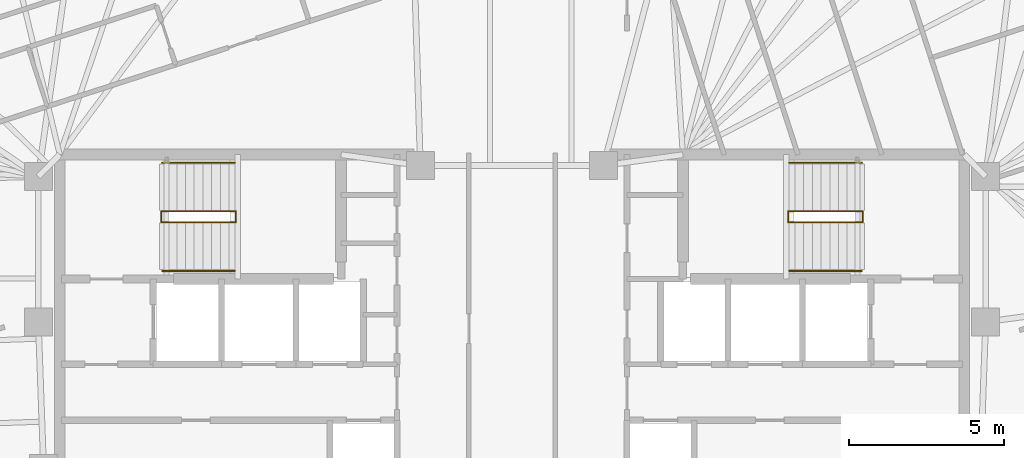
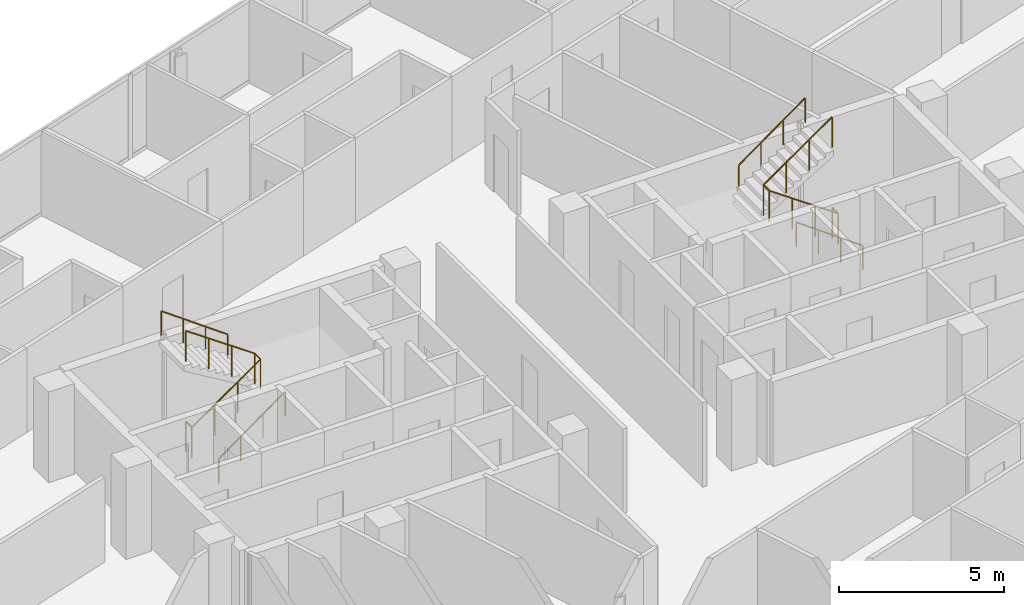
# One storey, part 20 of 20: 6 railings.
"""IFC4 building model written with IfcOpenShell, lengths in metres."""

from ifc_helpers import new_model, si_unit, direction, frame, origin, origin_2d, place, context, subcontext, project, spatial, circle, extrude, material, type_object, element, save


model = new_model("IFC4")

# Units and contexts
model_context = context("Model", 3, precision=1e-05, world=origin(), true_north=direction((0.0, 1.0)))
body_context = subcontext(model_context, "Body", "Model", "MODEL_VIEW")
ifc_project = project(units=[si_unit("LENGTHUNIT", "METRE"), si_unit("AREAUNIT", "SQUARE_METRE"), si_unit("VOLUMEUNIT", "CUBIC_METRE"), si_unit("PLANEANGLEUNIT", "RADIAN"), si_unit("MASSUNIT", "GRAM", prefix="KILO")], contexts=[model_context])

# Site, building, storey
site_placement = place(None, origin())
site = spatial("IfcSite", under=ifc_project, at=site_placement, CompositionType="ELEMENT")
building_placement = place(site_placement, origin())
building = spatial("IfcBuilding", under=site, at=building_placement, Name="Menara Jurai Vektor", CompositionType="ELEMENT")
storey_placement = place(building_placement, frame((0.0, 0.0, 224.300048828125)))
storey = spatial("IfcBuildingStorey", under=building, at=storey_placement, Name="L59", CompositionType="ELEMENT", Elevation=224.300048828125)

# Railings
ifc_material_1 = material(Name="Painted Galvanised Steel Balustrade", Category="steel")
railing_type_1 = type_object("IfcRailingType", Name="RAIL-STAIR-GUARD", PredefinedType="GUARDRAIL", material=ifc_material_1)
railing_1_placement = place(storey_placement, frame((-11.2900390625, 3.780029296875, 0.0)))
element("IfcRailing", 1, at=railing_1_placement, inside=storey, type_object=railing_type_1, Name="ST1 Stair Guardrail 1 L59", PredefinedType="GUARDRAIL", context=body_context, shape_type="SweptSolid", body=[
    extrude(circle(Radius=0.02392578125, at=origin_2d()), frame((0.0, 0.0, 1.1259765625), z_axis=(0.0, -1.0, 0.0), x_axis=(1.0, 0.0, 0.0)), (0.0, 0.0, 1.0), 0.360107421875),
    extrude(circle(Radius=0.02392578125, at=origin_2d()), frame((0.0, -0.360107421875, 1.1259765625), z_axis=(0.820042287322, 0.0, 0.572302932898), x_axis=(0.0, 1.0, 0.0)), (0.0, 0.0, 1.0), 2.9267578125),
    extrude(circle(Radius=0.02392578125, at=origin_2d()), frame((2.400146484375, -0.360107421875, 2.80078125), z_axis=(0.0, 1.0, 0.0), x_axis=(-1.0, 0.0, 0.0)), (0.0, 0.0, 1.0), 0.360107421875),
    extrude(circle(Radius=0.02392578125, at=origin_2d()), frame((2.400146484375, 0.0, 2.80078125), z_axis=(-0.820081434478, 0.0, 0.572246835573), x_axis=(0.0, -1.0, 0.0)), (0.0, 0.0, 1.0), 2.9267578125),
    extrude(circle(Radius=0.02099609375, at=origin_2d()), origin(), (0.0, 0.0, 1.0), 1.101806640625),
    extrude(circle(Radius=0.02099609375, at=origin_2d()), frame((0.0, -0.360107421875, 0.0)), (0.0, 0.0, 1.0), 1.101806640625),
    extrude(circle(Radius=0.02099609375, at=origin_2d()), frame((0.800048828125, -0.360107421875, 0.558349609375)), (0.0, 0.0, 1.0), 1.101806640625),
    extrude(circle(Radius=0.02099609375, at=origin_2d()), frame((1.60009765625, -0.360107421875, 1.11669921875)), (0.0, 0.0, 1.0), 1.101806640625),
    extrude(circle(Radius=0.02099609375, at=origin_2d()), frame((2.400146484375, -0.360107421875, 1.675048828125)), (0.0, 0.0, 1.0), 1.101806640625),
    extrude(circle(Radius=0.02099609375, at=origin_2d()), frame((2.400146484375, 0.0, 1.675048828125)), (0.0, 0.0, 1.0), 1.101806640625),
    extrude(circle(Radius=0.02099609375, at=origin_2d()), frame((1.60009765625, 0.0, 2.2333984375)), (0.0, 0.0, 1.0), 1.101806640625),
    extrude(circle(Radius=0.02099609375, at=origin_2d()), frame((0.800048828125, 0.0, 2.79150390625)), (0.0, 0.0, 1.0), 1.101806640625),
    extrude(circle(Radius=0.02099609375, at=origin_2d()), frame((0.0, 0.0, 3.349853515625)), (0.0, 0.0, 1.0), 1.101806640625),
])
railing_2_placement = place(storey_placement, frame((11.2900390625, 3.780029296875, 0.0)))
element("IfcRailing", 2, at=railing_2_placement, inside=storey, type_object=railing_type_1, Name="ST2 Stair Guardrail 1 L59", PredefinedType="GUARDRAIL", context=body_context, shape_type="SweptSolid", body=[
    extrude(circle(Radius=0.02392578125, at=origin_2d()), frame((0.0, 0.0, 1.1259765625), z_axis=(0.0, -1.0, 0.0), x_axis=(1.0, 0.0, 0.0)), (0.0, 0.0, 1.0), 0.360107421875),
    extrude(circle(Radius=0.02392578125, at=origin_2d()), frame((0.0, -0.360107421875, 1.1259765625), z_axis=(-0.820042287322, 0.0, 0.572302932898), x_axis=(0.0, -1.0, 0.0)), (0.0, 0.0, 1.0), 2.9267578125),
    extrude(circle(Radius=0.02392578125, at=origin_2d()), frame((-2.400146484375, -0.360107421875, 2.80078125), z_axis=(0.0, 1.0, 0.0), x_axis=(-1.0, 0.0, 0.0)), (0.0, 0.0, 1.0), 0.360107421875),
    extrude(circle(Radius=0.02392578125, at=origin_2d()), frame((-2.400146484375, 0.0, 2.80078125), z_axis=(0.820081434478, 0.0, 0.572246835573), x_axis=(0.0, 1.0, 0.0)), (0.0, 0.0, 1.0), 2.9267578125),
    extrude(circle(Radius=0.02099609375, at=origin_2d()), origin(), (0.0, 0.0, 1.0), 1.101806640625),
    extrude(circle(Radius=0.02099609375, at=origin_2d()), frame((0.0, -0.360107421875, 0.0)), (0.0, 0.0, 1.0), 1.101806640625),
    extrude(circle(Radius=0.02099609375, at=origin_2d()), frame((-0.800048828125, -0.360107421875, 0.558349609375)), (0.0, 0.0, 1.0), 1.101806640625),
    extrude(circle(Radius=0.02099609375, at=origin_2d()), frame((-1.60009765625, -0.360107421875, 1.11669921875)), (0.0, 0.0, 1.0), 1.101806640625),
    extrude(circle(Radius=0.02099609375, at=origin_2d()), frame((-2.400146484375, -0.360107421875, 1.675048828125)), (0.0, 0.0, 1.0), 1.101806640625),
    extrude(circle(Radius=0.02099609375, at=origin_2d()), frame((-2.400146484375, 0.0, 1.675048828125)), (0.0, 0.0, 1.0), 1.101806640625),
    extrude(circle(Radius=0.02099609375, at=origin_2d()), frame((-1.60009765625, 0.0, 2.2333984375)), (0.0, 0.0, 1.0), 1.101806640625),
    extrude(circle(Radius=0.02099609375, at=origin_2d()), frame((-0.800048828125, 0.0, 2.79150390625)), (0.0, 0.0, 1.0), 1.101806640625),
    extrude(circle(Radius=0.02099609375, at=origin_2d()), frame((0.0, 0.0, 3.349853515625)), (0.0, 0.0, 1.0), 1.101806640625),
])
ifc_material_2 = material(Name="Brushed Stainless Steel Handrail", Category="steel")
railing_type_2 = type_object("IfcRailingType", Name="RAIL-STAIR-HAND", PredefinedType="HANDRAIL", material=ifc_material_2)
railing_3_placement = place(storey_placement, frame((-11.25, 1.860107421875, 0.0)))
element("IfcRailing", 3, at=railing_3_placement, inside=storey, type_object=railing_type_2, Name="ST1 Stair Handrail 1 L59", PredefinedType="HANDRAIL", context=body_context, shape_type="SweptSolid", body=[
    extrude(circle(Radius=0.02392578125, at=origin_2d()), frame((0.0, 0.0, 0.89599609375), z_axis=(0.810771458067, 0.0, 0.585362830032), x_axis=(0.0, 1.0, 0.0)), (0.0, 0.0, 1.0), 2.861572265625),
    extrude(circle(Radius=0.02099609375, at=origin_2d()), origin(), (0.0, 0.0, 1.0), 0.871826171875),
    extrude(circle(Radius=0.02099609375, at=origin_2d()), frame((0.7734375, 0.0, 0.558349609375)), (0.0, 0.0, 1.0), 0.871826171875),
    extrude(circle(Radius=0.02099609375, at=origin_2d()), frame((1.546630859375, 0.0, 1.11669921875)), (0.0, 0.0, 1.0), 0.871826171875),
    extrude(circle(Radius=0.02099609375, at=origin_2d()), frame((2.320068359375, 0.0, 1.675048828125)), (0.0, 0.0, 1.0), 0.871826171875),
])
railing_4_placement = place(storey_placement, frame((-8.929931640625, 5.340087890625, 1.675048828125)))
element("IfcRailing", 4, at=railing_4_placement, inside=storey, type_object=railing_type_2, Name="ST1 Stair Handrail 2 L59", PredefinedType="HANDRAIL", context=body_context, shape_type="SweptSolid", body=[
    extrude(circle(Radius=0.02392578125, at=origin_2d()), frame((0.0, 0.0, 0.89599609375), z_axis=(-0.810811949412, 0.0, 0.585306742393), x_axis=(0.0, -1.0, 0.0)), (0.0, 0.0, 1.0), 2.861328125),
    extrude(circle(Radius=0.02099609375, at=origin_2d()), origin(), (0.0, 0.0, 1.0), 0.871826171875),
    extrude(circle(Radius=0.02099609375, at=origin_2d()), frame((-0.7734375, 0.0, 0.558349609375)), (0.0, 0.0, 1.0), 0.871826171875),
    extrude(circle(Radius=0.02099609375, at=origin_2d()), frame((-1.546630859375, 0.0, 1.116455078125)), (0.0, 0.0, 1.0), 0.871826171875),
    extrude(circle(Radius=0.02099609375, at=origin_2d()), frame((-2.320068359375, 0.0, 1.6748046875)), (0.0, 0.0, 1.0), 0.871826171875),
])
railing_5_placement = place(storey_placement, frame((11.25, 1.860107421875, 0.0)))
element("IfcRailing", 5, at=railing_5_placement, inside=storey, type_object=railing_type_2, Name="ST2 Stair Handrail 1 L59", PredefinedType="HANDRAIL", context=body_context, shape_type="SweptSolid", body=[
    extrude(circle(Radius=0.02392578125, at=origin_2d()), frame((0.0, 0.0, 0.89599609375), z_axis=(-0.810771458067, 0.0, 0.585362830032), x_axis=(0.0, -1.0, 0.0)), (0.0, 0.0, 1.0), 2.861572265625),
    extrude(circle(Radius=0.02099609375, at=origin_2d()), origin(), (0.0, 0.0, 1.0), 0.871826171875),
    extrude(circle(Radius=0.02099609375, at=origin_2d()), frame((-0.7734375, 0.0, 0.558349609375)), (0.0, 0.0, 1.0), 0.871826171875),
    extrude(circle(Radius=0.02099609375, at=origin_2d()), frame((-1.546630859375, 0.0, 1.11669921875)), (0.0, 0.0, 1.0), 0.871826171875),
    extrude(circle(Radius=0.02099609375, at=origin_2d()), frame((-2.320068359375, 0.0, 1.675048828125)), (0.0, 0.0, 1.0), 0.871826171875),
])
railing_6_placement = place(storey_placement, frame((8.929931640625, 5.340087890625, 1.675048828125)))
element("IfcRailing", 6, at=railing_6_placement, inside=storey, type_object=railing_type_2, Name="ST2 Stair Handrail 2 L59", PredefinedType="HANDRAIL", context=body_context, shape_type="SweptSolid", body=[
    extrude(circle(Radius=0.02392578125, at=origin_2d()), frame((0.0, 0.0, 0.89599609375), z_axis=(0.810811949412, 0.0, 0.585306742393), x_axis=(0.0, 1.0, 0.0)), (0.0, 0.0, 1.0), 2.861328125),
    extrude(circle(Radius=0.02099609375, at=origin_2d()), origin(), (0.0, 0.0, 1.0), 0.871826171875),
    extrude(circle(Radius=0.02099609375, at=origin_2d()), frame((0.7734375, 0.0, 0.558349609375)), (0.0, 0.0, 1.0), 0.871826171875),
    extrude(circle(Radius=0.02099609375, at=origin_2d()), frame((1.546630859375, 0.0, 1.116455078125)), (0.0, 0.0, 1.0), 0.871826171875),
    extrude(circle(Radius=0.02099609375, at=origin_2d()), frame((2.320068359375, 0.0, 1.6748046875)), (0.0, 0.0, 1.0), 0.871826171875),
])

save(model, "model.ifc")
